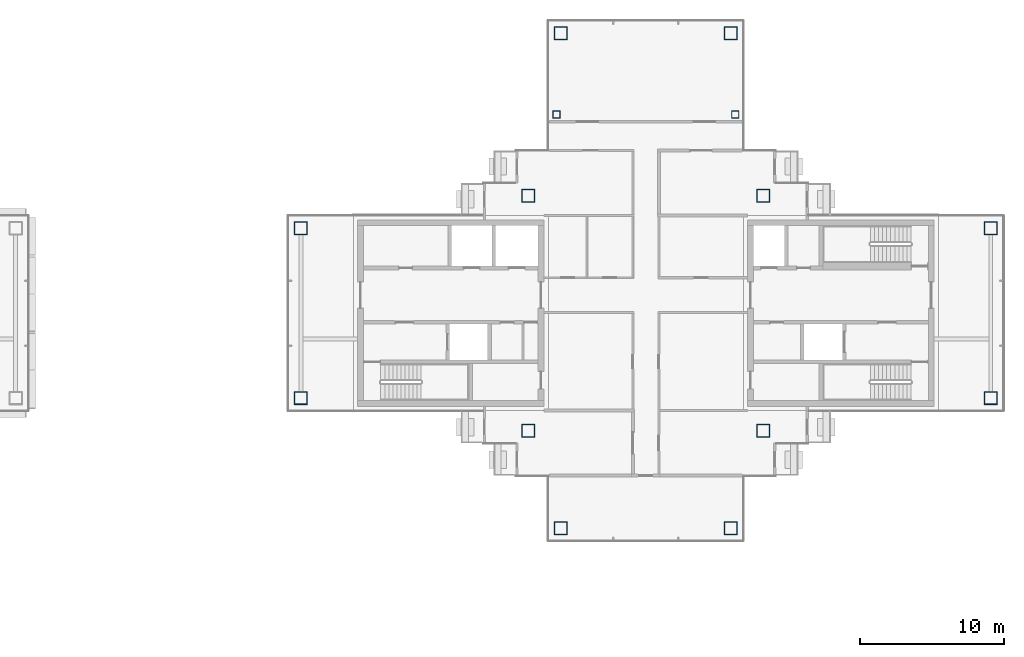
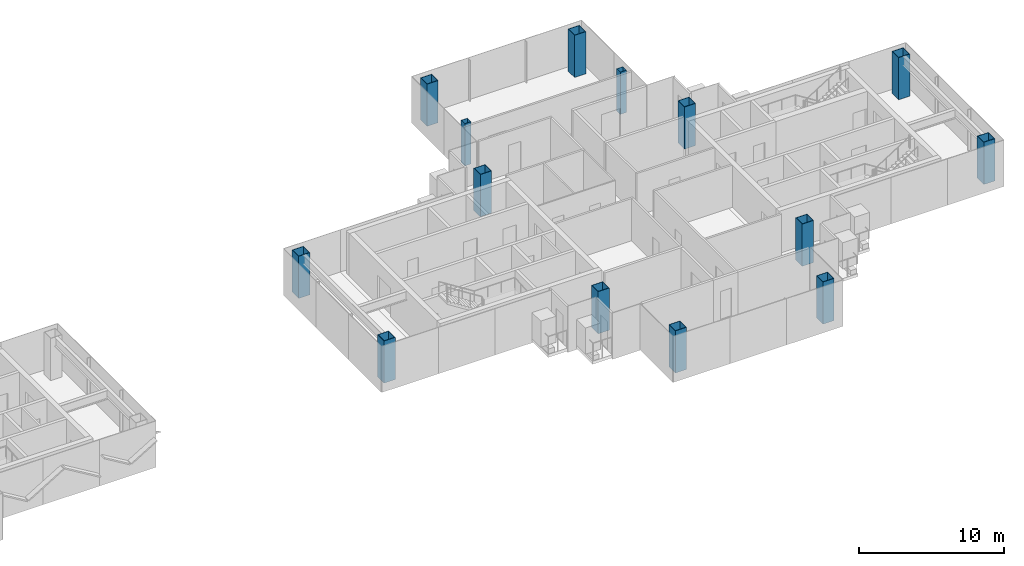
# One storey, part 2 of 17: 14 columns.
"""IFC4 building model written with IfcOpenShell, lengths in metres."""

from ifc_helpers import new_model, si_unit, direction, frame, origin, origin_2d, place, context, subcontext, project, spatial, hollow_rectangle, extrude, material, material_profile, profile_set, type_object, element, save


model = new_model("IFC4")

# Units and contexts
model_context = context("Model", 3, precision=1e-05, world=origin(), true_north=direction((0.0, 1.0)))
body_context = subcontext(model_context, "Body", "Model", "MODEL_VIEW")
ifc_project = project(units=[si_unit("LENGTHUNIT", "METRE"), si_unit("AREAUNIT", "SQUARE_METRE"), si_unit("VOLUMEUNIT", "CUBIC_METRE"), si_unit("PLANEANGLEUNIT", "RADIAN"), si_unit("MASSUNIT", "GRAM", prefix="KILO")], contexts=[model_context])

# Site, building, storey
site_placement = place(None, origin())
site = spatial("IfcSite", under=ifc_project, at=site_placement, CompositionType="ELEMENT")
building_placement = place(site_placement, origin())
building = spatial("IfcBuilding", under=site, at=building_placement, Name="Shamsa Quay Exchange Towers", CompositionType="ELEMENT")
storey_placement = place(building_placement, frame((0.0, 0.0, 234.300048828125)))
storey = spatial("IfcBuildingStorey", under=building, at=storey_placement, Name="L56", CompositionType="ELEMENT", Elevation=234.300048828125)

# Columns
ifc_material_1 = material(Name="Concrete-filled steel tube S355 / C60/75", Category="concrete")
ifc_material_profile_1 = material_profile(ifc_material_1, hollow_rectangle(XDim=0.5, YDim=0.5, WallThickness=0.01611328125, at=origin_2d()), Name="CFT 500x500x16")
ifc_profile_set_1 = profile_set([ifc_material_profile_1], Name="Concrete-filled steel tube S355 / C60/75")
column_type_1 = type_object("IfcColumnType", Name="Column CFT 500x500x16", PredefinedType="COLUMN", material=ifc_profile_set_1)
for number, where, name in (
    (1, (39.9375, 13.75, 0.0), "Perimeter column T2-CP05"),
    (2, (27.5625, 13.75, 0.0), "Perimeter column T2-CP09"),
):
    element("IfcColumn", number, at=place(storey_placement, frame(where)), inside=storey, type_object=column_type_1, Name=name, PredefinedType="COLUMN", context=body_context, shape_type="SweptSolid", body=[
        extrude(hollow_rectangle(XDim=0.5, YDim=0.5, WallThickness=0.01611328125, at=origin_2d()), origin(), (0.0, 0.0, 1.0), 3.550048828125),
    ])
ifc_material_2 = material(Name="Concrete-filled steel tube S355 / C80/95", Category="concrete")
ifc_material_profile_2 = material_profile(ifc_material_2, hollow_rectangle(XDim=0.89990234375, YDim=0.89990234375, WallThickness=0.035888671875, at=origin_2d()), Name="CFT 900x900x36")
ifc_profile_set_2 = profile_set([ifc_material_profile_2], Name="Concrete-filled steel tube S355 / C80/95")
column_type_2 = type_object("IfcColumnType", Name="Column CFT 900x900x36", PredefinedType="COLUMN", material=ifc_profile_set_2)
for number, where, name in (
    (3, (25.625, 8.125, 0.0), "Mega column T2-CM01"),
    (4, (41.875, 8.125, 0.0), "Mega column T2-CM02"),
    (5, (25.625, -8.125, 0.0), "Mega column T2-CM03"),
    (6, (41.875, -8.125, 0.0), "Mega column T2-CM04"),
    (7, (39.625, 19.375, 0.0), "Mega column T2-CM06"),
    (8, (27.875, 19.375, 0.0), "Mega column T2-CM10"),
    (9, (39.625, -14.875, 0.0), "Mega column T2-CM13"),
    (10, (27.875, -14.875, 0.0), "Mega column T2-CM16"),
    (11, (9.875, -5.875, 0.0), "Mega column T2-CM19"),
    (12, (9.875, 5.875, 0.0), "Mega column T2-CM20"),
    (13, (57.625, -5.875, 0.0), "Mega column T2-CM21"),
    (14, (57.625, 5.875, 0.0), "Mega column T2-CM23"),
):
    element("IfcColumn", number, at=place(storey_placement, frame(where)), inside=storey, type_object=column_type_2, Name=name, PredefinedType="COLUMN", context=body_context, shape_type="SweptSolid", body=[
        extrude(hollow_rectangle(XDim=0.89990234375, YDim=0.89990234375, WallThickness=0.035888671875, at=origin_2d()), origin(), (0.0, 0.0, 1.0), 3.550048828125),
    ])

save(model, "model.ifc")
